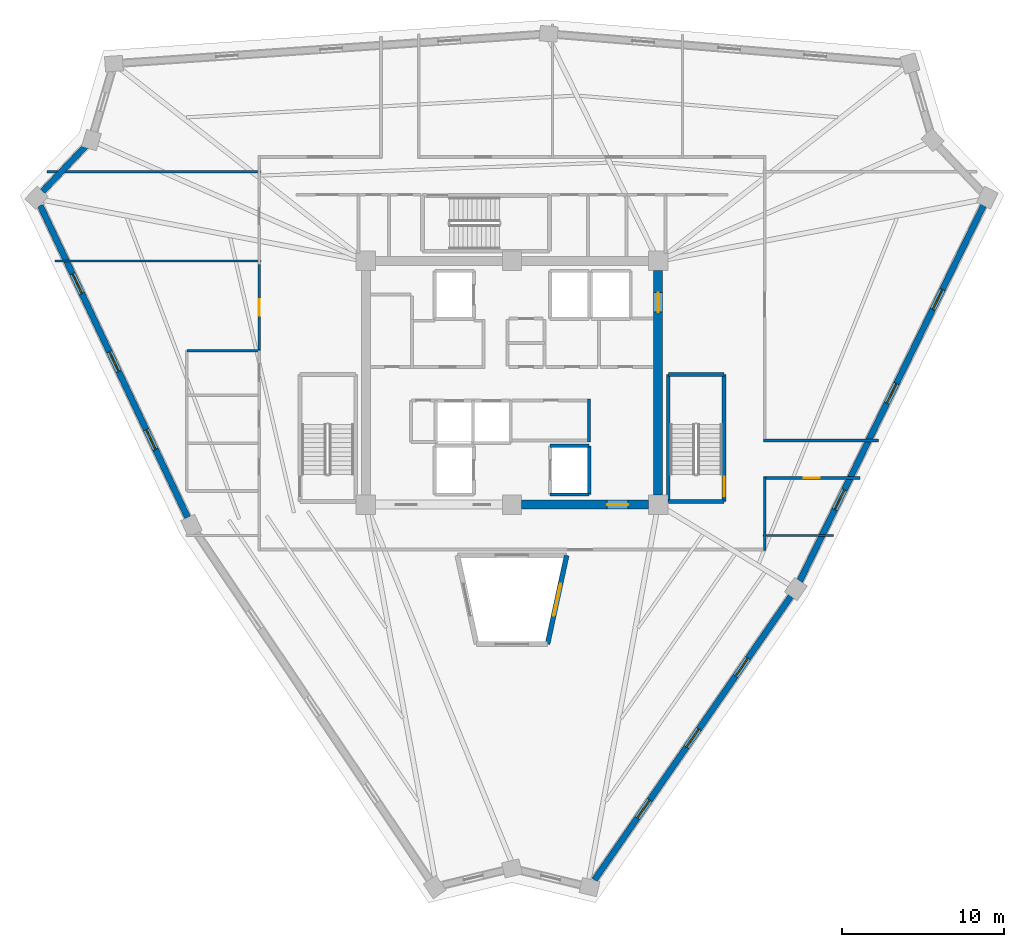
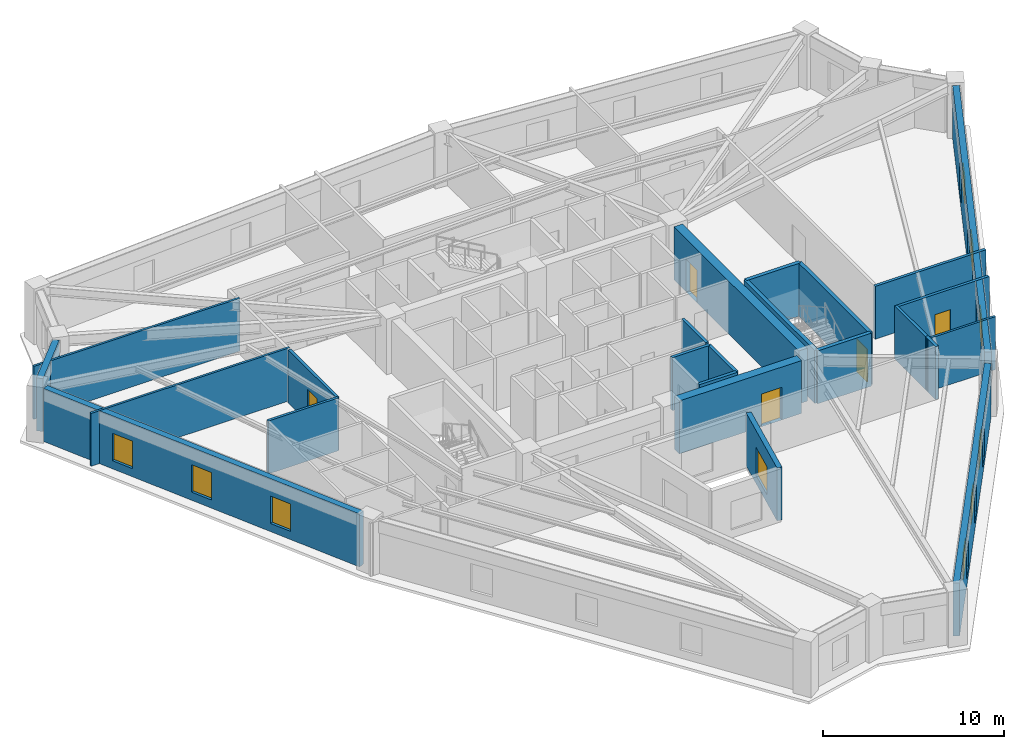
# One storey, part 4 of 8: 24 walls, 10 windows, 5 doors, 15 openings.
"""IFC4 building model written with IfcOpenShell, lengths in metres."""

from ifc_helpers import new_model, si_unit, direction, frame, frame_2d, origin, place, context, subcontext, project, spatial, rectangle, extrude, source, transform, mapped, material, layer, layer_set, type_object, element, fill, save


model = new_model("IFC4")

# Units and contexts
model_context = context("Model", 3, precision=1e-05, world=origin(), true_north=direction((0.0, 1.0)))
body_context = subcontext(model_context, "Body", "Model", "MODEL_VIEW")
ifc_project = project(units=[si_unit("LENGTHUNIT", "METRE"), si_unit("AREAUNIT", "SQUARE_METRE"), si_unit("VOLUMEUNIT", "CUBIC_METRE"), si_unit("PLANEANGLEUNIT", "RADIAN"), si_unit("MASSUNIT", "GRAM", prefix="KILO")], contexts=[model_context])

# Site, building, storey
site_placement = place(None, origin())
site = spatial("IfcSite", under=ifc_project, at=site_placement, CompositionType="ELEMENT")
building_placement = place(site_placement, origin())
building = spatial("IfcBuilding", under=site, at=building_placement, Name="Liaohun Quay Tower", CompositionType="ELEMENT")
storey_placement = place(building_placement, frame((0.0, 0.0, 336.0)))
storey = spatial("IfcBuildingStorey", under=building, at=storey_placement, Name="L87", CompositionType="ELEMENT", Elevation=336.0)

# Wall, opening, window
ifc_material_1 = material(Name="Concrete C50", Category="concrete")
ifc_layer_1 = layer(ifc_material_1, 0.300048828125, Name="Concrete C50", Category="concrete")
ifc_layer_set_1 = layer_set([ifc_layer_1], Name="Concrete C50")
wall_type_1 = type_object("IfcWallType", Name="WAL-ATR-300", PredefinedType="SOLIDWALL", material=ifc_layer_set_1)
wall_1_placement = place(storey_placement, frame((63.368896484375, 43.3701171875, 0.0), z_axis=(0.0, 0.0, 1.0), x_axis=(-0.211279697176, -0.977425644006, 0.0)))
wall_1 = element("IfcWall", 1, at=wall_1_placement, inside=storey, type_object=wall_type_1, Name="L87 Atrium Fire Compartment Wall 3", PredefinedType="SOLIDWALL", context=body_context, shape_type="SweptSolid", body=[
    extrude(rectangle(XDim=5.580078125, YDim=0.300048828125, at=frame_2d((2.7900390625, 0.0))), origin(), (0.0, 0.0, 1.0), 3.570068359375),
])
shared_shape_1 = source(origin(), body_context, "Body", "SweptSolid", [
    extrude(rectangle(XDim=2.0, YDim=1.89990234375, at=frame_2d((1.0, 0.949951171875))), frame((0.0, 0.159912109375, 0.0), z_axis=(0.0, -1.0, 0.0), x_axis=(1.0, 0.0, 0.0)), (0.0, 0.0, 1.0), 0.320068359375),
])
opening_1_placement = place(wall_1_placement, frame((1.7900390625, 0.0, 0.550048828125)))
opening_1 = element("IfcOpeningElement", 2, at=opening_1_placement, cuts=wall_1, Name="Opening W07", PredefinedType="OPENING", context=body_context, shape_type="MappedRepresentation", body=[
    mapped(shared_shape_1, transform((0.0, 0.0, 0.0), x_axis=(1.0, 0.0, 0.0), y_axis=(0.0, 1.0, 0.0), z_axis=(0.0, 0.0, 1.0), scale=1.0)),
])
ifc_material_2 = material(Name="Class A 180-min fire-resistant insulated glazing", Category="glass")
window_type_1 = type_object("IfcWindowType", Name="WIN-ATR-FIR", PartitioningType="DOUBLE_PANEL_VERTICAL", PredefinedType="WINDOW", material=ifc_material_2)
shared_shape_2 = source(origin(), body_context, "Body", "SweptSolid", [
    extrude(rectangle(XDim=2.0, YDim=1.89990234375, at=frame_2d((1.0, 0.949951171875))), frame((0.0, 0.030029296875, 0.0), z_axis=(0.0, -1.0, 0.0), x_axis=(1.0, 0.0, 0.0)), (0.0, 0.0, 1.0), 0.06005859375),
])
window_1_placement = place(opening_1_placement, origin())
window_1 = element("IfcWindow", 3, at=window_1_placement, inside=storey, type_object=window_type_1, Name="L87 Atrium Fire-Resistant Glazing W07-3", OverallHeight=1.89990234375, OverallWidth=2.0, PartitioningType="DOUBLE_PANEL_VERTICAL", PredefinedType="WINDOW", context=body_context, shape_type="MappedRepresentation", body=[
    mapped(shared_shape_2, transform((0.0, 0.0, 0.0), x_axis=(1.0, 0.0, 0.0), y_axis=(0.0, 1.0, 0.0), z_axis=(0.0, 0.0, 1.0), scale=1.0)),
])
fill(opening_1, window_1)

# Wall, opening, door
ifc_layer_2 = layer(ifc_material_1, 0.550048828125, Name="Concrete C50", Category="concrete")
ifc_layer_set_2 = layer_set([ifc_layer_2], Name="Concrete C50")
wall_type_2 = type_object("IfcWallType", Name="WAL-COR-Z4", PredefinedType="SHEAR", material=ifc_layer_set_2)
wall_2_placement = place(storey_placement, frame((69.0, 60.89990234375, 0.0), z_axis=(0.0, 0.0, 1.0), x_axis=(0.0, -1.0, 0.0)))
wall_2 = element("IfcWall", 4, at=wall_2_placement, inside=storey, type_object=wall_type_2, Name="L87 Central Core Shear Wall E", PredefinedType="SHEAR", context=body_context, shape_type="SweptSolid", body=[
    extrude(rectangle(XDim=13.7998046875, YDim=0.550048828125, at=frame_2d((6.89990234375, 0.0))), origin(), (0.0, 0.0, 1.0), 3.570068359375),
])
shared_shape_3 = source(origin(), body_context, "Body", "SweptSolid", [
    extrude(rectangle(XDim=1.199951171875, YDim=2.199951171875, at=frame_2d((0.60009765625, 1.10009765625))), frame((0.0, 0.284912109375, 0.0), z_axis=(0.0, -1.0, 0.0), x_axis=(1.0, 0.0, 0.0)), (0.0, 0.0, 1.0), 0.570068359375),
])
opening_2_placement = place(wall_2_placement, frame((1.35009765625, 0.0, 0.0)))
opening_2 = element("IfcOpeningElement", 5, at=opening_2_placement, cuts=wall_2, Name="Opening SD1", PredefinedType="OPENING", context=body_context, shape_type="MappedRepresentation", body=[
    mapped(shared_shape_3, transform((0.0, 0.0, 0.0), x_axis=(1.0, 0.0, 0.0), y_axis=(0.0, 1.0, 0.0), z_axis=(0.0, 0.0, 1.0), scale=1.0)),
])
ifc_material_3 = material(Name="Galvanised steel fire door", Category="steel")
door_type_1 = type_object("IfcDoorType", Name="DOR-STR-1200", OperationType="NOTDEFINED", PredefinedType="DOOR", material=ifc_material_3)
shared_shape_4 = source(origin(), body_context, "Body", "SweptSolid", [
    extrude(rectangle(XDim=1.199951171875, YDim=2.199951171875, at=frame_2d((0.60009765625, 1.10009765625))), frame((0.0, 0.02490234375, 0.0), z_axis=(0.0, -1.0, 0.0), x_axis=(1.0, 0.0, 0.0)), (0.0, 0.0, 1.0), 0.050048828125),
])
door_1_placement = place(opening_2_placement, origin())
door_1 = element("IfcDoor", 6, at=door_1_placement, inside=storey, type_object=door_type_1, Name="L87 North-East Core Lobby Smokeproof Door", OperationType="SINGLE_SWING_LEFT", OverallHeight=2.199951171875, OverallWidth=1.199951171875, PredefinedType="DOOR", context=body_context, shape_type="MappedRepresentation", body=[
    mapped(shared_shape_4, transform((0.0, 0.0, 0.0), x_axis=(1.0, 0.0, 0.0), y_axis=(0.0, 1.0, 0.0), z_axis=(0.0, 0.0, 1.0), scale=1.0)),
])
fill(opening_2, door_1)

wall_3_placement = place(storey_placement, frame((68.39990234375, 46.5, 0.0), z_axis=(0.0, 0.0, 1.0), x_axis=(-1.0, 0.0, 0.0)))
wall_3 = element("IfcWall", 7, at=wall_3_placement, inside=storey, type_object=wall_type_2, Name="L87 Central Core Shear Wall S-E", PredefinedType="SHEAR", context=body_context, shape_type="SweptSolid", body=[
    extrude(rectangle(XDim=7.7998046875, YDim=0.550048828125, at=frame_2d((3.89990234375, 0.0))), origin(), (0.0, 0.0, 1.0), 3.570068359375),
])
shared_shape_5 = source(origin(), body_context, "Body", "SweptSolid", [
    extrude(rectangle(XDim=1.300048828125, YDim=2.199951171875, at=frame_2d((0.64990234375, 1.10009765625))), frame((0.0, 0.284912109375, 0.0), z_axis=(0.0, -1.0, 0.0), x_axis=(1.0, 0.0, 0.0)), (0.0, 0.0, 1.0), 0.570068359375),
])
opening_3_placement = place(wall_3_placement, frame((1.25, 0.0, 0.0)))
opening_3 = element("IfcOpeningElement", 8, at=opening_3_placement, cuts=wall_3, Name="Opening FD1", PredefinedType="OPENING", context=body_context, shape_type="MappedRepresentation", body=[
    mapped(shared_shape_5, transform((0.0, 0.0, 0.0), x_axis=(1.0, 0.0, 0.0), y_axis=(0.0, 1.0, 0.0), z_axis=(0.0, 0.0, 1.0), scale=1.0)),
])
ifc_material_4 = material(Name="Galvanised steel smokeproof fire door", Category="steel")
door_type_2 = type_object("IfcDoorType", Name="DOR-FFL-1300", OperationType="NOTDEFINED", PredefinedType="DOOR", material=ifc_material_4)
shared_shape_6 = source(origin(), body_context, "Body", "SweptSolid", [
    extrude(rectangle(XDim=1.300048828125, YDim=2.199951171875, at=frame_2d((0.64990234375, 1.10009765625))), frame((0.0, 0.02490234375, 0.0), z_axis=(0.0, -1.0, 0.0), x_axis=(1.0, 0.0, 0.0)), (0.0, 0.0, 1.0), 0.050048828125),
])
door_2_placement = place(opening_3_placement, origin())
door_2 = element("IfcDoor", 9, at=door_2_placement, inside=storey, type_object=door_type_2, Name="L87 East Core Lift Lobby Smokeproof Door", OperationType="SINGLE_SWING_LEFT", OverallHeight=2.199951171875, OverallWidth=1.300048828125, PredefinedType="DOOR", context=body_context, shape_type="MappedRepresentation", body=[
    mapped(shared_shape_6, transform((0.0, 0.0, 0.0), x_axis=(1.0, 0.0, 0.0), y_axis=(0.0, 1.0, 0.0), z_axis=(0.0, 0.0, 1.0), scale=1.0)),
])
fill(opening_3, door_2)

# Wall, openings, windows
ifc_material_5 = material(Name="Precast concrete C50 insulated sandwich", Category="concrete")
ifc_layer_3 = layer(ifc_material_5, 0.3798828125, Name="Precast concrete C50 insulated sandwich", Category="concrete")
ifc_layer_set_3 = layer_set([ifc_layer_3], Name="Precast concrete C50 insulated sandwich")
wall_type_3 = type_object("IfcWallType", Name="WAL-EXT-Z34", PredefinedType="SOLIDWALL", material=ifc_layer_set_3)
wall_4_placement = place(storey_placement, frame((65.076904296875, 23.39599609375, 0.0), z_axis=(0.0, 0.0, 1.0), x_axis=(0.569337280664, 0.822104045025, 0.0)))
wall_4 = element("IfcWall", 10, at=wall_4_placement, inside=storey, type_object=wall_type_3, Name="L87 Brutalist Precast Pier Wall 02", PredefinedType="SOLIDWALL", context=body_context, shape_type="SweptSolid", body=[
    extrude(rectangle(XDim=21.240478515625, YDim=0.3798828125, at=frame_2d((10.6201171875, 0.0))), origin(), (0.0, 0.0, 1.0), 3.570068359375),
])
shared_shape_7 = source(origin(), body_context, "Body", "SweptSolid", [
    extrude(rectangle(XDim=1.35009765625, YDim=1.85009765625, at=frame_2d((0.675048828125, 0.925048828125))), frame((0.0, 0.199951171875, 0.0), z_axis=(0.0, -1.0, 0.0), x_axis=(1.0, 0.0, 0.0)), (0.0, 0.0, 1.0), 0.39990234375),
])
opening_4_placement = place(wall_4_placement, frame((4.635009765625, 0.0, 0.550048828125)))
opening_4 = element("IfcOpeningElement", 11, at=opening_4_placement, cuts=wall_4, Name="Opening W04", PredefinedType="OPENING", context=body_context, shape_type="MappedRepresentation", body=[
    mapped(shared_shape_7, transform((0.0, 0.0, 0.0), x_axis=(1.0, 0.0, 0.0), y_axis=(0.0, 1.0, 0.0), z_axis=(0.0, 0.0, 1.0), scale=1.0)),
])
opening_5_placement = place(wall_4_placement, frame((9.945068359375, 0.0, 0.550048828125)))
opening_5 = element("IfcOpeningElement", 12, at=opening_5_placement, cuts=wall_4, Name="Opening W04", PredefinedType="OPENING", context=body_context, shape_type="MappedRepresentation", body=[
    mapped(shared_shape_7, transform((0.0, 0.0, 0.0), x_axis=(1.0, 0.0, 0.0), y_axis=(0.0, 1.0, 0.0), z_axis=(0.0, 0.0, 1.0), scale=1.0)),
])
opening_6_placement = place(wall_4_placement, frame((15.2548828125, 0.0, 0.550048828125)))
opening_6 = element("IfcOpeningElement", 13, at=opening_6_placement, cuts=wall_4, Name="Opening W04", PredefinedType="OPENING", context=body_context, shape_type="MappedRepresentation", body=[
    mapped(shared_shape_7, transform((0.0, 0.0, 0.0), x_axis=(1.0, 0.0, 0.0), y_axis=(0.0, 1.0, 0.0), z_axis=(0.0, 0.0, 1.0), scale=1.0)),
])
ifc_material_6 = material(Name="Triple Low-E argon glazing in thermally broken aluminium", Category="aluminium")
window_type_2 = type_object("IfcWindowType", Name="WIN-PUN-Z4", PartitioningType="SINGLE_PANEL", PredefinedType="WINDOW", material=ifc_material_6)
shared_shape_8 = source(origin(), body_context, "Body", "SweptSolid", [
    extrude(rectangle(XDim=1.35009765625, YDim=1.85009765625, at=frame_2d((0.675048828125, 0.925048828125))), frame((0.0, 0.030029296875, 0.0), z_axis=(0.0, -1.0, 0.0), x_axis=(1.0, 0.0, 0.0)), (0.0, 0.0, 1.0), 0.06005859375),
])
window_2_placement = place(opening_4_placement, origin())
window_2 = element("IfcWindow", 14, at=window_2_placement, inside=storey, type_object=window_type_2, Name="L87 Recessed Cold-Climate Punched Window 02-1", OverallHeight=1.85009765625, OverallWidth=1.35009765625, PartitioningType="SINGLE_PANEL", PredefinedType="WINDOW", context=body_context, shape_type="MappedRepresentation", body=[
    mapped(shared_shape_8, transform((0.0, 0.0, 0.0), x_axis=(1.0, 0.0, 0.0), y_axis=(0.0, 1.0, 0.0), z_axis=(0.0, 0.0, 1.0), scale=1.0)),
])
fill(opening_4, window_2)
window_3_placement = place(opening_5_placement, origin())
window_3 = element("IfcWindow", 15, at=window_3_placement, inside=storey, type_object=window_type_2, Name="L87 Recessed Cold-Climate Punched Window 02-2", OverallHeight=1.85009765625, OverallWidth=1.35009765625, PartitioningType="SINGLE_PANEL", PredefinedType="WINDOW", context=body_context, shape_type="MappedRepresentation", body=[
    mapped(shared_shape_8, transform((0.0, 0.0, 0.0), x_axis=(1.0, 0.0, 0.0), y_axis=(0.0, 1.0, 0.0), z_axis=(0.0, 0.0, 1.0), scale=1.0)),
])
fill(opening_5, window_3)
window_4_placement = place(opening_6_placement, origin())
window_4 = element("IfcWindow", 16, at=window_4_placement, inside=storey, type_object=window_type_2, Name="L87 Recessed Cold-Climate Punched Window 02-3", OverallHeight=1.85009765625, OverallWidth=1.35009765625, PartitioningType="SINGLE_PANEL", PredefinedType="WINDOW", context=body_context, shape_type="MappedRepresentation", body=[
    mapped(shared_shape_8, transform((0.0, 0.0, 0.0), x_axis=(1.0, 0.0, 0.0), y_axis=(0.0, 1.0, 0.0), z_axis=(0.0, 0.0, 1.0), scale=1.0)),
])
fill(opening_6, window_4)

wall_5_placement = place(storey_placement, frame((77.714111328125, 41.787109375, 0.0), z_axis=(0.0, 0.0, 1.0), x_axis=(0.439535610403, 0.898225165083, 0.0)))
wall_5 = element("IfcWall", 17, at=wall_5_placement, inside=storey, type_object=wall_type_3, Name="L87 Brutalist Precast Pier Wall 03", PredefinedType="SOLIDWALL", context=body_context, shape_type="SweptSolid", body=[
    extrude(rectangle(XDim=25.747314453125, YDim=0.3798828125, at=frame_2d((12.87353515625, 0.0))), origin(), (0.0, 0.0, 1.0), 3.570068359375),
])
opening_7_placement = place(wall_5_placement, frame((4.912109375, 0.0, 0.550048828125)))
opening_7 = element("IfcOpeningElement", 18, at=opening_7_placement, cuts=wall_5, Name="Opening W04", PredefinedType="OPENING", context=body_context, shape_type="MappedRepresentation", body=[
    mapped(shared_shape_7, transform((0.0, 0.0, 0.0), x_axis=(1.0, 0.0, 0.0), y_axis=(0.0, 1.0, 0.0), z_axis=(0.0, 0.0, 1.0), scale=1.0)),
])
opening_8_placement = place(wall_5_placement, frame((12.198974609375, 0.0, 0.550048828125)))
opening_8 = element("IfcOpeningElement", 19, at=opening_8_placement, cuts=wall_5, Name="Opening W04", PredefinedType="OPENING", context=body_context, shape_type="MappedRepresentation", body=[
    mapped(shared_shape_7, transform((0.0, 0.0, 0.0), x_axis=(1.0, 0.0, 0.0), y_axis=(0.0, 1.0, 0.0), z_axis=(0.0, 0.0, 1.0), scale=1.0)),
])
opening_9_placement = place(wall_5_placement, frame((18.635986328125, 0.0, 0.550048828125)))
opening_9 = element("IfcOpeningElement", 20, at=opening_9_placement, cuts=wall_5, Name="Opening W04", PredefinedType="OPENING", context=body_context, shape_type="MappedRepresentation", body=[
    mapped(shared_shape_7, transform((0.0, 0.0, 0.0), x_axis=(1.0, 0.0, 0.0), y_axis=(0.0, 1.0, 0.0), z_axis=(0.0, 0.0, 1.0), scale=1.0)),
])
window_5_placement = place(opening_7_placement, origin())
window_5 = element("IfcWindow", 21, at=window_5_placement, inside=storey, type_object=window_type_2, Name="L87 Recessed Cold-Climate Punched Window 03-1", OverallHeight=1.85009765625, OverallWidth=1.35009765625, PartitioningType="SINGLE_PANEL", PredefinedType="WINDOW", context=body_context, shape_type="MappedRepresentation", body=[
    mapped(shared_shape_8, transform((0.0, 0.0, 0.0), x_axis=(1.0, 0.0, 0.0), y_axis=(0.0, 1.0, 0.0), z_axis=(0.0, 0.0, 1.0), scale=1.0)),
])
fill(opening_7, window_5)
window_6_placement = place(opening_8_placement, origin())
window_6 = element("IfcWindow", 22, at=window_6_placement, inside=storey, type_object=window_type_2, Name="L87 Recessed Cold-Climate Punched Window 03-2", OverallHeight=1.85009765625, OverallWidth=1.35009765625, PartitioningType="SINGLE_PANEL", PredefinedType="WINDOW", context=body_context, shape_type="MappedRepresentation", body=[
    mapped(shared_shape_8, transform((0.0, 0.0, 0.0), x_axis=(1.0, 0.0, 0.0), y_axis=(0.0, 1.0, 0.0), z_axis=(0.0, 0.0, 1.0), scale=1.0)),
])
fill(opening_8, window_6)
window_7_placement = place(opening_9_placement, origin())
window_7 = element("IfcWindow", 23, at=window_7_placement, inside=storey, type_object=window_type_2, Name="L87 Recessed Cold-Climate Punched Window 03-3", OverallHeight=1.85009765625, OverallWidth=1.35009765625, PartitioningType="SINGLE_PANEL", PredefinedType="WINDOW", context=body_context, shape_type="MappedRepresentation", body=[
    mapped(shared_shape_8, transform((0.0, 0.0, 0.0), x_axis=(1.0, 0.0, 0.0), y_axis=(0.0, 1.0, 0.0), z_axis=(0.0, 0.0, 1.0), scale=1.0)),
])
fill(opening_9, window_7)

# Wall
wall_6_placement = place(storey_placement, frame((33.737060546875, 68.556884765625, 0.0), z_axis=(0.0, 0.0, 1.0), x_axis=(-0.689248887434, -0.724524651872, 0.0)))
element("IfcWall", 24, at=wall_6_placement, inside=storey, type_object=wall_type_3, Name="L87 Brutalist Precast Pier Wall 09", PredefinedType="SOLIDWALL", context=body_context, shape_type="SweptSolid", body=[
    extrude(rectangle(XDim=3.8271484375, YDim=0.3798828125, at=frame_2d((1.91357421875, 0.0))), origin(), (0.0, 0.0, 1.0), 3.570068359375),
])

# Wall, openings, windows
wall_7_placement = place(storey_placement, frame((30.9580078125, 64.905029296875, 0.0), z_axis=(0.0, 0.0, 1.0), x_axis=(0.427288231304, -0.904115461315, 0.0)))
wall_7 = element("IfcWall", 25, at=wall_7_placement, inside=storey, type_object=wall_type_3, Name="L87 Brutalist Precast Pier Wall 10", PredefinedType="SOLIDWALL", context=body_context, shape_type="SweptSolid", body=[
    extrude(rectangle(XDim=21.24072265625, YDim=0.3798828125, at=frame_2d((10.620361328125, 0.0))), origin(), (0.0, 0.0, 1.0), 3.570068359375),
])
opening_10_placement = place(wall_7_placement, frame((4.635009765625, 0.0, 0.550048828125)))
opening_10 = element("IfcOpeningElement", 26, at=opening_10_placement, cuts=wall_7, Name="Opening W04", PredefinedType="OPENING", context=body_context, shape_type="MappedRepresentation", body=[
    mapped(shared_shape_7, transform((0.0, 0.0, 0.0), x_axis=(1.0, 0.0, 0.0), y_axis=(0.0, 1.0, 0.0), z_axis=(0.0, 0.0, 1.0), scale=1.0)),
])
opening_11_placement = place(wall_7_placement, frame((9.945068359375, 0.0, 0.550048828125)))
opening_11 = element("IfcOpeningElement", 27, at=opening_11_placement, cuts=wall_7, Name="Opening W04", PredefinedType="OPENING", context=body_context, shape_type="MappedRepresentation", body=[
    mapped(shared_shape_7, transform((0.0, 0.0, 0.0), x_axis=(1.0, 0.0, 0.0), y_axis=(0.0, 1.0, 0.0), z_axis=(0.0, 0.0, 1.0), scale=1.0)),
])
opening_12_placement = place(wall_7_placement, frame((15.256103515625, 0.0, 0.550048828125)))
opening_12 = element("IfcOpeningElement", 28, at=opening_12_placement, cuts=wall_7, Name="Opening W04", PredefinedType="OPENING", context=body_context, shape_type="MappedRepresentation", body=[
    mapped(shared_shape_7, transform((0.0, 0.0, 0.0), x_axis=(1.0, 0.0, 0.0), y_axis=(0.0, 1.0, 0.0), z_axis=(0.0, 0.0, 1.0), scale=1.0)),
])
window_8_placement = place(opening_10_placement, origin())
window_8 = element("IfcWindow", 29, at=window_8_placement, inside=storey, type_object=window_type_2, Name="L87 Recessed Cold-Climate Punched Window 10-1", OverallHeight=1.85009765625, OverallWidth=1.35009765625, PartitioningType="SINGLE_PANEL", PredefinedType="WINDOW", context=body_context, shape_type="MappedRepresentation", body=[
    mapped(shared_shape_8, transform((0.0, 0.0, 0.0), x_axis=(1.0, 0.0, 0.0), y_axis=(0.0, 1.0, 0.0), z_axis=(0.0, 0.0, 1.0), scale=1.0)),
])
fill(opening_10, window_8)
window_9_placement = place(opening_11_placement, origin())
window_9 = element("IfcWindow", 30, at=window_9_placement, inside=storey, type_object=window_type_2, Name="L87 Recessed Cold-Climate Punched Window 10-2", OverallHeight=1.85009765625, OverallWidth=1.35009765625, PartitioningType="SINGLE_PANEL", PredefinedType="WINDOW", context=body_context, shape_type="MappedRepresentation", body=[
    mapped(shared_shape_8, transform((0.0, 0.0, 0.0), x_axis=(1.0, 0.0, 0.0), y_axis=(0.0, 1.0, 0.0), z_axis=(0.0, 0.0, 1.0), scale=1.0)),
])
fill(opening_11, window_9)
window_10_placement = place(opening_12_placement, origin())
window_10 = element("IfcWindow", 31, at=window_10_placement, inside=storey, type_object=window_type_2, Name="L87 Recessed Cold-Climate Punched Window 10-3", OverallHeight=1.85009765625, OverallWidth=1.35009765625, PartitioningType="SINGLE_PANEL", PredefinedType="WINDOW", context=body_context, shape_type="MappedRepresentation", body=[
    mapped(shared_shape_8, transform((0.0, 0.0, 0.0), x_axis=(1.0, 0.0, 0.0), y_axis=(0.0, 1.0, 0.0), z_axis=(0.0, 0.0, 1.0), scale=1.0)),
])
fill(opening_12, window_10)

# Wall, opening, door
ifc_material_7 = material(Name="Autoclaved aerated concrete blockwork", Category="masonry")
ifc_layer_4 = layer(ifc_material_7, 0.179931640625, Name="Autoclaved aerated concrete blockwork", Category="masonry")
ifc_layer_set_4 = layer_set([ifc_layer_4], Name="Autoclaved aerated concrete blockwork")
wall_type_4 = type_object("IfcWallType", Name="WAL-PRT-COR", PredefinedType="PARTITIONING", material=ifc_layer_set_4)
wall_8_placement = place(storey_placement, frame((44.43994140625, 55.97998046875, 0.0), z_axis=(0.0, 0.0, 1.0), x_axis=(0.0, 1.0, 0.0)))
wall_8 = element("IfcWall", 32, at=wall_8_placement, inside=storey, type_object=wall_type_4, Name="L87 Interior Partition Wall 025", PredefinedType="PARTITIONING", context=body_context, shape_type="SweptSolid", body=[
    extrude(rectangle(XDim=5.304931640625, YDim=0.179931640625, at=frame_2d((2.65234375, 0.0))), origin(), (0.0, 0.0, 1.0), 3.570068359375),
])
shared_shape_9 = source(origin(), body_context, "Body", "SweptSolid", [
    extrude(rectangle(XDim=1.0, YDim=2.199951171875, at=frame_2d((0.5, 1.10009765625))), frame((0.0, 0.099853515625, 0.0), z_axis=(0.0, -1.0, 0.0), x_axis=(1.0, 0.0, 0.0)), (0.0, 0.0, 1.0), 0.199951171875),
])
opening_13_placement = place(wall_8_placement, frame((2.152099609375, 0.0, 0.0)))
opening_13 = element("IfcOpeningElement", 33, at=opening_13_placement, cuts=wall_8, Name="Opening OD1", PredefinedType="OPENING", context=body_context, shape_type="MappedRepresentation", body=[
    mapped(shared_shape_9, transform((0.0, 0.0, 0.0), x_axis=(1.0, 0.0, 0.0), y_axis=(0.0, 1.0, 0.0), z_axis=(0.0, 0.0, 1.0), scale=1.0)),
])
ifc_material_8 = material(Name="Solid-core oak veneer timber leaf in steel frame", Category="steel")
door_type_3 = type_object("IfcDoorType", Name="DOR-OFF-1000", OperationType="NOTDEFINED", PredefinedType="DOOR", material=ifc_material_8)
shared_shape_10 = source(origin(), body_context, "Body", "SweptSolid", [
    extrude(rectangle(XDim=1.0, YDim=2.199951171875, at=frame_2d((0.5, 1.10009765625))), frame((0.0, 0.02490234375, 0.0), z_axis=(0.0, -1.0, 0.0), x_axis=(1.0, 0.0, 0.0)), (0.0, 0.0, 1.0), 0.050048828125),
])
door_3_placement = place(opening_13_placement, origin())
door_3 = element("IfcDoor", 34, at=door_3_placement, inside=storey, type_object=door_type_3, Name="L87 Occupational Wellness Clinic 07 Door", OperationType="SINGLE_SWING_LEFT", OverallHeight=2.199951171875, OverallWidth=1.0, PredefinedType="DOOR", context=body_context, shape_type="MappedRepresentation", body=[
    mapped(shared_shape_10, transform((0.0, 0.0, 0.0), x_axis=(1.0, 0.0, 0.0), y_axis=(0.0, 1.0, 0.0), z_axis=(0.0, 0.0, 1.0), scale=1.0)),
])
fill(opening_13, door_3)

wall_9_placement = place(storey_placement, frame((81.416015625, 48.139892578125, 0.0), z_axis=(0.0, 0.0, 1.0), x_axis=(-1.0, 0.0, 0.0)))
wall_9 = element("IfcWall", 35, at=wall_9_placement, inside=storey, type_object=wall_type_4, Name="L87 Interior Partition Wall 027", PredefinedType="PARTITIONING", context=body_context, shape_type="SweptSolid", body=[
    extrude(rectangle(XDim=5.926025390625, YDim=0.179931640625, at=frame_2d((2.962890625, 0.0))), origin(), (0.0, 0.0, 1.0), 3.570068359375),
])
opening_14_placement = place(wall_9_placement, frame((2.462890625, 0.0, 0.0)))
opening_14 = element("IfcOpeningElement", 36, at=opening_14_placement, cuts=wall_9, Name="Opening OD1", PredefinedType="OPENING", context=body_context, shape_type="MappedRepresentation", body=[
    mapped(shared_shape_9, transform((0.0, 0.0, 0.0), x_axis=(1.0, 0.0, 0.0), y_axis=(0.0, 1.0, 0.0), z_axis=(0.0, 0.0, 1.0), scale=1.0)),
])
door_4_placement = place(opening_14_placement, origin())
door_4 = element("IfcDoor", 37, at=door_4_placement, inside=storey, type_object=door_type_3, Name="L87 Records Archive Store 09 Door", OperationType="SINGLE_SWING_LEFT", OverallHeight=2.199951171875, OverallWidth=1.0, PredefinedType="DOOR", context=body_context, shape_type="MappedRepresentation", body=[
    mapped(shared_shape_10, transform((0.0, 0.0, 0.0), x_axis=(1.0, 0.0, 0.0), y_axis=(0.0, 1.0, 0.0), z_axis=(0.0, 0.0, 1.0), scale=1.0)),
])
fill(opening_14, door_4)

# Walls
wall_10_placement = place(storey_placement, frame((75.489990234375, 50.4599609375, 0.0), z_axis=(0.0, 0.0, 1.0), x_axis=(1.0, 0.0, 0.0)))
element("IfcWall", 38, at=wall_10_placement, inside=storey, type_object=wall_type_4, Name="L87 Interior Partition Wall 045", PredefinedType="PARTITIONING", context=body_context, shape_type="SweptSolid", body=[
    extrude(rectangle(XDim=7.06103515625, YDim=0.179931640625, at=frame_2d((3.530517578125, 0.0))), origin(), (0.0, 0.0, 1.0), 3.570068359375),
])
wall_11_placement = place(storey_placement, frame((75.56005859375, 44.81494140625, 0.0), z_axis=(0.0, 0.0, 1.0), x_axis=(0.0, -1.0, 0.0)))
element("IfcWall", 39, at=wall_11_placement, inside=storey, type_object=wall_type_4, Name="L87 Interior Partition Wall 052", PredefinedType="PARTITIONING", context=body_context, shape_type="SweptSolid", body=[
    extrude(rectangle(XDim=1.14501953125, YDim=0.179931640625, at=frame_2d((0.572509765625, 0.0))), origin(), (0.0, 0.0, 1.0), 3.570068359375),
])
wall_12_placement = place(storey_placement, frame((75.56005859375, 48.2099609375, 0.0), z_axis=(0.0, 0.0, 1.0), x_axis=(0.0, -1.0, 0.0)))
element("IfcWall", 40, at=wall_12_placement, inside=storey, type_object=wall_type_4, Name="L87 Interior Partition Wall 053", PredefinedType="PARTITIONING", context=body_context, shape_type="SweptSolid", body=[
    extrude(rectangle(XDim=3.39501953125, YDim=0.179931640625, at=frame_2d((1.697509765625, 0.0))), origin(), (0.0, 0.0, 1.0), 3.570068359375),
])
wall_13_placement = place(storey_placement, frame((64.75, 50.360107421875, 0.0), z_axis=(0.0, 0.0, 1.0), x_axis=(0.0, 1.0, 0.0)))
element("IfcWall", 41, at=wall_13_placement, inside=storey, type_object=wall_type_4, Name="L87 Interior Partition Wall 061", PredefinedType="PARTITIONING", context=body_context, shape_type="SweptSolid", body=[
    extrude(rectangle(XDim=2.64990234375, YDim=0.179931640625, at=frame_2d((1.324951171875, 0.0))), origin(), (0.0, 0.0, 1.0), 3.570068359375),
])
ifc_material_9 = material(Name="Gypsum board on twin steel studs", Category="steel")
ifc_layer_5 = layer(ifc_material_9, 0.139892578125, Name="Gypsum board on twin steel studs", Category="steel")
ifc_layer_set_5 = layer_set([ifc_layer_5], Name="Gypsum board on twin steel studs")
wall_type_5 = type_object("IfcWallType", Name="WAL-PRT-OFF", PredefinedType="PARTITIONING", material=ifc_layer_set_5)
wall_14_placement = place(storey_placement, frame((44.5400390625, 61.5, 0.0), z_axis=(0.0, 0.0, 1.0), x_axis=(-1.0, 0.0, 0.0)))
element("IfcWall", 42, at=wall_14_placement, inside=storey, type_object=wall_type_5, Name="L87 Interior Partition Wall 055", PredefinedType="PARTITIONING", context=body_context, shape_type="SweptSolid", body=[
    extrude(rectangle(XDim=12.669921875, YDim=0.139892578125, at=frame_2d((6.3349609375, 0.0))), origin(), (0.0, 0.0, 1.0), 3.570068359375),
])
wall_15_placement = place(storey_placement, frame((44.5400390625, 67.0, 0.0), z_axis=(0.0, 0.0, 1.0), x_axis=(-1.0, 0.0, 0.0)))
element("IfcWall", 43, at=wall_15_placement, inside=storey, type_object=wall_type_5, Name="L87 Interior Partition Wall 056", PredefinedType="PARTITIONING", context=body_context, shape_type="SweptSolid", body=[
    extrude(rectangle(XDim=13.154052734375, YDim=0.139892578125, at=frame_2d((6.5771484375, 0.0))), origin(), (0.0, 0.0, 1.0), 3.570068359375),
])
wall_16_placement = place(storey_placement, frame((75.4599609375, 44.60009765625, 0.0), z_axis=(0.0, 0.0, 1.0), x_axis=(1.0, 0.0, 0.0)))
element("IfcWall", 44, at=wall_16_placement, inside=storey, type_object=wall_type_5, Name="L87 Interior Partition Wall 057", PredefinedType="PARTITIONING", context=body_context, shape_type="SweptSolid", body=[
    extrude(rectangle(XDim=4.33203125, YDim=0.139892578125, at=frame_2d((2.166015625, 0.0))), origin(), (0.0, 0.0, 1.0), 3.570068359375),
])
ifc_material_10 = material(Name="Moisture-resistant masonry blockwork", Category="masonry")
ifc_layer_6 = layer(ifc_material_10, 0.159912109375, Name="Moisture-resistant masonry blockwork", Category="masonry")
ifc_layer_set_6 = layer_set([ifc_layer_6], Name="Moisture-resistant masonry blockwork")
wall_type_6 = type_object("IfcWallType", Name="WAL-PRT-WET", PredefinedType="PARTITIONING", material=ifc_layer_set_6)
wall_17_placement = place(storey_placement, frame((39.97998046875, 55.97998046875, 0.0), z_axis=(0.0, 0.0, 1.0), x_axis=(1.0, 0.0, 0.0)))
element("IfcWall", 45, at=wall_17_placement, inside=storey, type_object=wall_type_6, Name="L87 Interior Partition Wall 039", PredefinedType="PARTITIONING", context=body_context, shape_type="SweptSolid", body=[
    extrude(rectangle(XDim=4.4599609375, YDim=0.159912109375, at=frame_2d((2.22998046875, 0.0))), origin(), (0.0, 0.0, 1.0), 3.570068359375),
])
ifc_layer_7 = layer(ifc_material_1, 0.239990234375, Name="Concrete C50", Category="concrete")
ifc_layer_set_7 = layer_set([ifc_layer_7], Name="Concrete C50")
wall_type_7 = type_object("IfcWallType", Name="WAL-SHF-200", PredefinedType="SOLIDWALL", material=ifc_layer_set_7)
wall_18_placement = place(storey_placement, frame((69.6201171875, 46.699951171875, 0.0), z_axis=(0.0, 0.0, 1.0), x_axis=(1.0, 0.0, 0.0)))
element("IfcWall", 46, at=wall_18_placement, inside=storey, type_object=wall_type_7, Name="L87 Stairwell ST-2 Structural Core Wall S", PredefinedType="SOLIDWALL", context=body_context, shape_type="SweptSolid", body=[
    extrude(rectangle(XDim=3.43994140625, YDim=0.239990234375, at=frame_2d((1.719970703125, 0.0))), origin(), (0.0, 0.0, 1.0), 3.570068359375),
])

# Wall, opening, door
wall_19_placement = place(storey_placement, frame((73.06005859375, 46.699951171875, 0.0), z_axis=(0.0, 0.0, 1.0), x_axis=(0.0, 1.0, 0.0)))
wall_19 = element("IfcWall", 47, at=wall_19_placement, inside=storey, type_object=wall_type_7, Name="L87 Stairwell ST-2 Structural Core Wall E", PredefinedType="SOLIDWALL", context=body_context, shape_type="SweptSolid", body=[
    extrude(rectangle(XDim=7.820068359375, YDim=0.239990234375, at=frame_2d((3.91015625, 0.0))), origin(), (0.0, 0.0, 1.0), 3.570068359375),
])
shared_shape_11 = source(origin(), body_context, "Body", "SweptSolid", [
    extrude(rectangle(XDim=1.199951171875, YDim=2.199951171875, at=frame_2d((0.60009765625, 1.10009765625))), frame((0.0, 0.1298828125, 0.0), z_axis=(0.0, -1.0, 0.0), x_axis=(1.0, 0.0, 0.0)), (0.0, 0.0, 1.0), 0.260009765625),
])
opening_15_placement = place(wall_19_placement, frame((0.320068359375, 0.0, 0.0)))
opening_15 = element("IfcOpeningElement", 48, at=opening_15_placement, cuts=wall_19, Name="Opening SD1", PredefinedType="OPENING", context=body_context, shape_type="MappedRepresentation", body=[
    mapped(shared_shape_11, transform((0.0, 0.0, 0.0), x_axis=(1.0, 0.0, 0.0), y_axis=(0.0, 1.0, 0.0), z_axis=(0.0, 0.0, 1.0), scale=1.0)),
])
door_5_placement = place(opening_15_placement, origin())
door_5 = element("IfcDoor", 49, at=door_5_placement, inside=storey, type_object=door_type_1, Name="L87 Protected Stair ST-2 Fire Door", OperationType="SINGLE_SWING_RIGHT", OverallHeight=2.199951171875, OverallWidth=1.199951171875, PredefinedType="DOOR", context=body_context, shape_type="MappedRepresentation", body=[
    mapped(shared_shape_4, transform((0.0, 0.0, 0.0), x_axis=(1.0, 0.0, 0.0), y_axis=(0.0, 1.0, 0.0), z_axis=(0.0, 0.0, 1.0), scale=1.0)),
])
fill(opening_15, door_5)

# Walls
wall_20_placement = place(storey_placement, frame((73.06005859375, 54.52001953125, 0.0), z_axis=(0.0, 0.0, 1.0), x_axis=(-1.0, 0.0, 0.0)))
element("IfcWall", 50, at=wall_20_placement, inside=storey, type_object=wall_type_7, Name="L87 Stairwell ST-2 Structural Core Wall N", PredefinedType="SOLIDWALL", context=body_context, shape_type="SweptSolid", body=[
    extrude(rectangle(XDim=3.43994140625, YDim=0.239990234375, at=frame_2d((1.719970703125, 0.0))), origin(), (0.0, 0.0, 1.0), 3.570068359375),
])
wall_21_placement = place(storey_placement, frame((69.6201171875, 54.52001953125, 0.0), z_axis=(0.0, 0.0, 1.0), x_axis=(0.0, -1.0, 0.0)))
element("IfcWall", 51, at=wall_21_placement, inside=storey, type_object=wall_type_7, Name="L87 Stairwell ST-2 Structural Core Wall W", PredefinedType="SOLIDWALL", context=body_context, shape_type="SweptSolid", body=[
    extrude(rectangle(XDim=7.820068359375, YDim=0.239990234375, at=frame_2d((3.91015625, 0.0))), origin(), (0.0, 0.0, 1.0), 3.570068359375),
])
wall_22_placement = place(storey_placement, frame((62.35009765625, 47.1201171875, 0.0), z_axis=(0.0, 0.0, 1.0), x_axis=(1.0, 0.0, 0.0)))
element("IfcWall", 52, at=wall_22_placement, inside=storey, type_object=wall_type_7, Name="L87 Lift FF-02 Hoistway Wall S", PredefinedType="SOLIDWALL", context=body_context, shape_type="SweptSolid", body=[
    extrude(rectangle(XDim=2.39990234375, YDim=0.199951171875, at=frame_2d((1.199951171875, 0.0))), origin(), (0.0, 0.0, 1.0), 3.570068359375),
])
wall_23_placement = place(storey_placement, frame((64.75, 47.1201171875, 0.0), z_axis=(0.0, 0.0, 1.0), x_axis=(0.0, 1.0, 0.0)))
element("IfcWall", 53, at=wall_23_placement, inside=storey, type_object=wall_type_7, Name="L87 Lift FF-02 Hoistway Wall E", PredefinedType="SOLIDWALL", context=body_context, shape_type="SweptSolid", body=[
    extrude(rectangle(XDim=3.0, YDim=0.199951171875, at=frame_2d((1.5, 0.0))), origin(), (0.0, 0.0, 1.0), 3.570068359375),
])
wall_24_placement = place(storey_placement, frame((64.75, 50.1201171875, 0.0), z_axis=(0.0, 0.0, 1.0), x_axis=(-1.0, 0.0, 0.0)))
element("IfcWall", 54, at=wall_24_placement, inside=storey, type_object=wall_type_7, Name="L87 Lift FF-02 Hoistway Wall N", PredefinedType="SOLIDWALL", context=body_context, shape_type="SweptSolid", body=[
    extrude(rectangle(XDim=2.39990234375, YDim=0.199951171875, at=frame_2d((1.199951171875, 0.0))), origin(), (0.0, 0.0, 1.0), 3.570068359375),
])

save(model, "model.ifc")
